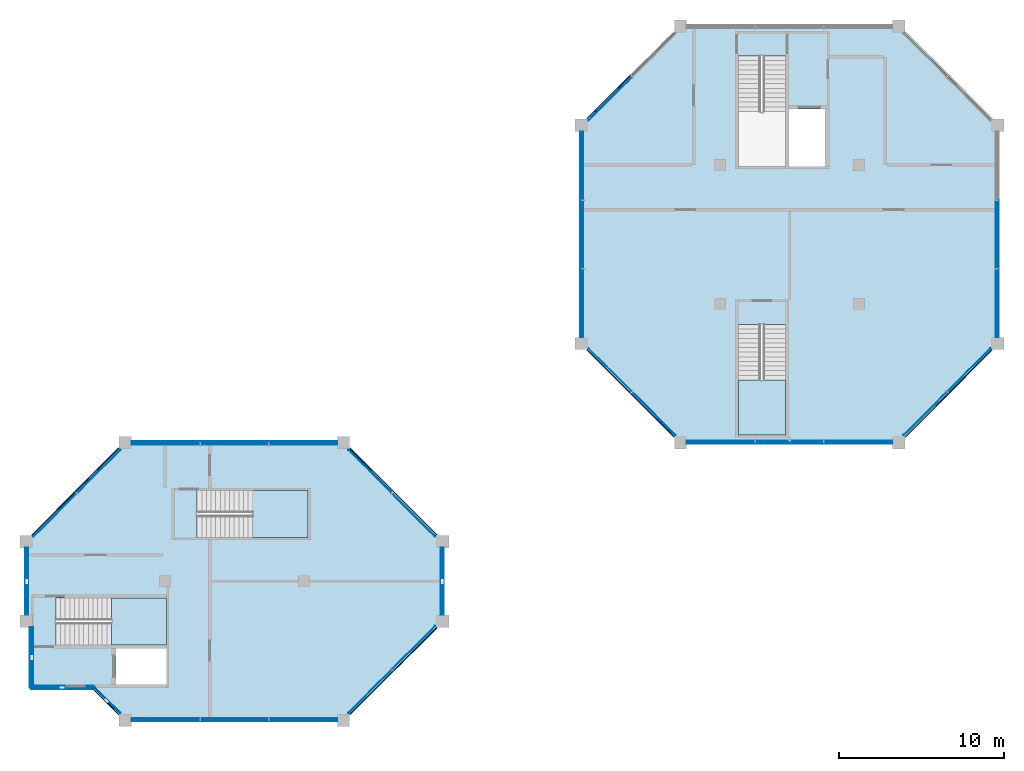
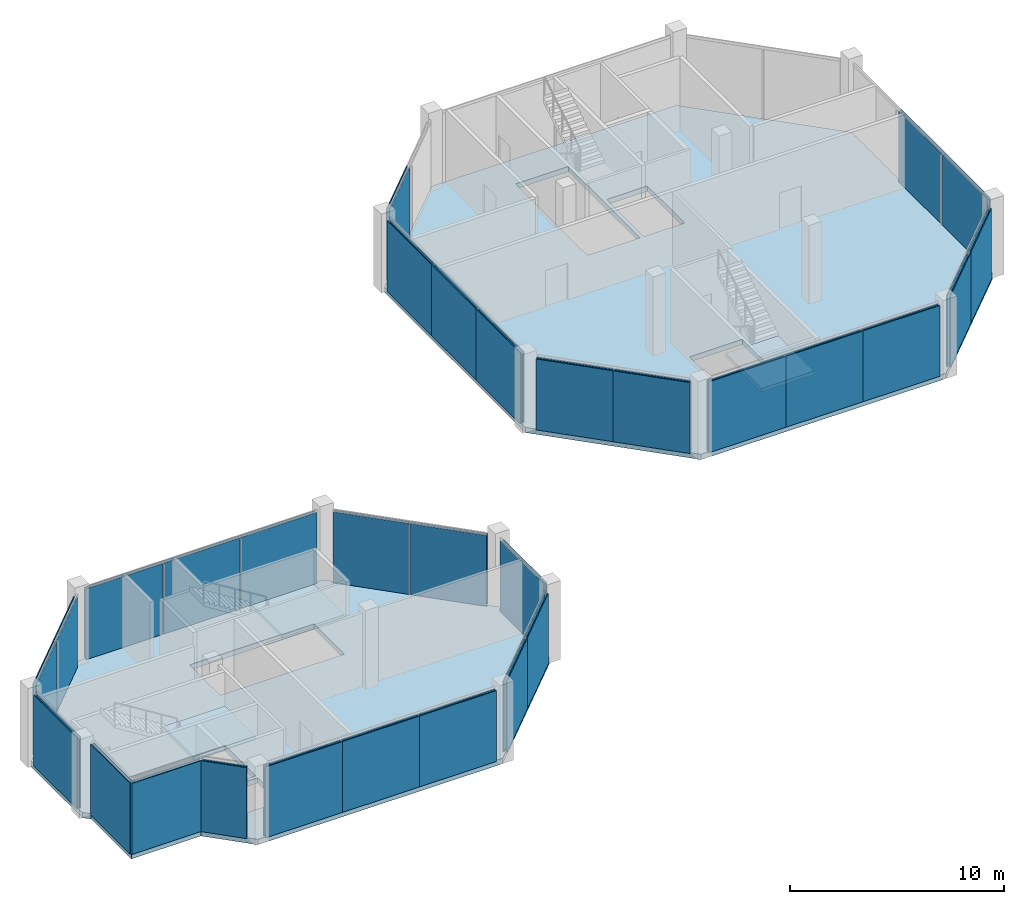
# One storey, part 4 of 9: 60 plates, 5 slabs, 19 elements without a shape of their own.
"""IFC4 building model written with IfcOpenShell, lengths in metres."""

import ifcopenshell
import ifcopenshell.guid

model = None  # the IFC model being written
_history = None  # IfcOwnerHistory: only IFC2X3 demands one
_inside = {}  # id of a spatial element -> (the spatial element, [elements in it])
_under = {}  # id of a project, library or spatial element -> (it, [spatial elements below it])
_declared = {}  # id of a project -> (the project, [libraries it declares])
_typed = {}  # id of a type object -> (the type object, [elements of that type])
_made_of = {}  # id of a material, layer set ... -> (it, [elements and type objects made of it])


def new_model(schema):
    """Start an empty IFC model of exactly this schema.

    Asked for "IFC4X3", IfcOpenShell would pick the latest addendum, in which some entities
    have other attributes; the version numbers below select the first issue.
    IFC2X3 requires an IfcOwnerHistory on every rooted entity: one is made here for all.
    """
    global model, _history
    if schema == "IFC4X3":
        model = ifcopenshell.file(schema_version=(4, 3, 0, 0))
    else:
        model = ifcopenshell.file(schema=schema)
    _inside.clear()
    _under.clear()
    _declared.clear()
    _typed.clear()
    _made_of.clear()
    _history = None
    if model.schema == "IFC2X3":
        org = make("IfcOrganization", Name="unknown")
        user = make(
            "IfcPersonAndOrganization",
            ThePerson=make("IfcPerson", FamilyName="unknown"),
            TheOrganization=org,
        )
        app = make(
            "IfcApplication",
            ApplicationDeveloper=org,
            Version="unknown",
            ApplicationFullName="unknown",
            ApplicationIdentifier="unknown",
        )
        _history = make(
            "IfcOwnerHistory",
            OwningUser=user,
            OwningApplication=app,
            ChangeAction="ADDED",
            CreationDate=0,
        )
    return model


def make(cls, **values):
    """One entity of the class cls with the attributes given. An attribute that is None is left unset."""
    return model.create_entity(
        cls, **{name: value for name, value in values.items() if value is not None}
    )


def rooted(cls, **values):
    """An entity with a GlobalId (a new one), such as an element, a storey or a relation."""
    return make(cls, GlobalId=ifcopenshell.guid.new(), OwnerHistory=_history, **values)


def si_unit(unit_type, name, prefix=None):
    """IfcSIUnit, for example si_unit("LENGTHUNIT", "METRE", prefix="MILLI")."""
    return make("IfcSIUnit", UnitType=unit_type, Prefix=prefix, Name=name)


def assignment(units):
    """IfcUnitAssignment: the units of a project."""
    return None if units is None else make("IfcUnitAssignment", Units=units)


def point(xyz):
    """IfcCartesianPoint."""
    return None if xyz is None else make("IfcCartesianPoint", Coordinates=xyz)


def direction(xyz):
    """IfcDirection."""
    return None if xyz is None else make("IfcDirection", DirectionRatios=xyz)


def frame(location, z_axis=None, x_axis=None):
    """IfcAxis2Placement3D, a coordinate frame: its origin and axes. An axis left out is left unset."""
    return make(
        "IfcAxis2Placement3D",
        Location=point(location),
        Axis=direction(z_axis),
        RefDirection=direction(x_axis),
    )


def frame_2d(location, x_axis=None):
    """IfcAxis2Placement2D, a coordinate frame in the plane: its origin and x axis."""
    return make(
        "IfcAxis2Placement2D", Location=point(location), RefDirection=direction(x_axis)
    )


def origin():
    """The frame at (0, 0, 0) with its axes left unset."""
    return frame((0.0, 0.0, 0.0))


def origin_2d():
    """The frame at (0, 0) in the plane with its x axis left unset."""
    return frame_2d((0.0, 0.0))


def place(relative_to, where):
    """IfcLocalPlacement: puts the frame where relative to a parent placement (None: the world)."""
    return make(
        "IfcLocalPlacement", PlacementRelTo=relative_to, RelativePlacement=where
    )


def context(
    kind, dimensions, precision=None, world=None, true_north=None, identifier=None
):
    """IfcGeometricRepresentationContext, for example the 3D "Model" context."""
    return make(
        "IfcGeometricRepresentationContext",
        ContextIdentifier=identifier,
        ContextType=kind,
        CoordinateSpaceDimension=dimensions,
        Precision=precision,
        WorldCoordinateSystem=world,
        TrueNorth=true_north,
    )


def subcontext(parent, identifier, kind, view, scale=None):
    """IfcGeometricRepresentationSubContext, for example "Body" below "Model"."""
    return make(
        "IfcGeometricRepresentationSubContext",
        ContextIdentifier=identifier,
        ContextType=kind,
        ParentContext=parent,
        TargetScale=scale,
        TargetView=view,
    )


def project(units=None, contexts=None):
    """IfcProject with its units and contexts."""
    return rooted(
        "IfcProject",
        Name="project",
        RepresentationContexts=contexts,
        UnitsInContext=assignment(units),
    )


def spatial(cls, under=None, at=None, **own):
    """A site, building, storey or space (cls), placed at a placement, below another one or the project."""
    s = rooted(cls, ObjectPlacement=at, **own)
    if under is not None:
        _under.setdefault(under.id(), (under, []))[1].append(s)
    return s


def polyline(points):
    """IfcPolyline through the points."""
    return make("IfcPolyline", Points=[point(p) for p in points])


def profile(cls, at=None, kind="AREA", **sizes):
    """A parametric profile (cls). Its sizes go by their IFC names, for example OverallWidth=200.0."""
    return make(cls, ProfileType=kind, Position=at, **sizes)


def rectangle(**sizes):
    """IfcRectangleProfileDef."""
    return profile("IfcRectangleProfileDef", **sizes)


def outline(outer, holes=None, kind="AREA"):
    """IfcArbitraryClosedProfileDef: a profile drawn as a closed curve; with holes, ...WithVoids."""
    if holes is None:
        return make("IfcArbitraryClosedProfileDef", ProfileType=kind, OuterCurve=outer)
    return make(
        "IfcArbitraryProfileDefWithVoids",
        ProfileType=kind,
        OuterCurve=outer,
        InnerCurves=holes,
    )


def extrude(swept, where, along, depth):
    """IfcExtrudedAreaSolid: the profile swept, set in the frame where, extruded along a direction by depth."""
    return make(
        "IfcExtrudedAreaSolid",
        SweptArea=swept,
        Position=where,
        ExtrudedDirection=direction(along),
        Depth=depth,
    )


def shape(context_of_items, identifier, shape_type, items):
    """IfcShapeRepresentation: the items that make up one representation, for example the "Body"."""
    return make(
        "IfcShapeRepresentation",
        ContextOfItems=context_of_items,
        RepresentationIdentifier=identifier,
        RepresentationType=shape_type,
        Items=items,
    )


def material(Name=None, Category=None):
    """IfcMaterial."""
    return make("IfcMaterial", Name=Name, Category=Category)


def layer(
    of_material, thickness, ventilated=None, Name=None, Category=None, Priority=None
):
    """IfcMaterialLayer: one layer of a wall or slab, of a material (None: an air gap)."""
    return make(
        "IfcMaterialLayer",
        Material=of_material,
        LayerThickness=thickness,
        IsVentilated=ventilated,
        Name=Name,
        Category=Category,
        Priority=Priority,
    )


def layer_set(layers, Name=None):
    """IfcMaterialLayerSet."""
    return make("IfcMaterialLayerSet", MaterialLayers=layers, LayerSetName=Name)


def made_of(thing, what):
    """Note that an element or type object is made of a material, layer set ...; save() writes the relation."""
    if what is not None:
        _made_of.setdefault(what.id(), (what, []))[1].append(thing)
    return thing


def type_object(cls, material=None, **own):
    """A type object (cls), such as IfcWallType, which elements share."""
    return made_of(rooted(cls, **own), material)


def element(
    cls,
    number,
    at=None,
    inside=None,
    cuts=None,
    type_object=None,
    material=None,
    context=None,
    identifier="Body",
    shape_type=None,
    held_by="IfcProductDefinitionShape",
    body=None,
    shapes=None,
    **own,
):
    """One element of the class cls, such as IfcWall. Its Tag is "e" and its number.

    at: its placement. inside: the storey or other place that contains it. cuts: it is an
    opening in that element (IfcRelVoidsElement). A single representation is given by context,
    identifier, shape_type and body (its items); several are given by shapes. held_by: the class
    of the entity that holds the representations. save() writes the other relations.
    """
    e = rooted(cls, Tag="e%d" % number, ObjectPlacement=at, **own)
    if body is not None:
        shapes = [shape(context, identifier, shape_type, body)]
    if shapes is not None:
        e.Representation = make(held_by, Representations=shapes)
    if inside is not None:
        _inside.setdefault(inside.id(), (inside, []))[1].append(e)
    if cuts is not None:
        rooted(
            "IfcRelVoidsElement", RelatingBuildingElement=cuts, RelatedOpeningElement=e
        )
    if type_object is not None:
        _typed.setdefault(type_object.id(), (type_object, []))[1].append(e)
    return made_of(e, material)


def aggregate(whole, parts):
    """IfcRelAggregates: a whole, such as a stair, and the parts it consists of."""
    return rooted("IfcRelAggregates", RelatingObject=whole, RelatedObjects=parts)


def save(model, path):
    """Write the relations noted so far, then the file.

    IfcRelAggregates (storeys below a building ...), IfcRelContainedInSpatialStructure (elements
    in a storey), IfcRelDefinesByType, IfcRelAssociatesMaterial and IfcRelDeclares: one each for
    every whole, place, type object, material and project.
    """
    for whole, parts in _under.values():
        aggregate(whole, parts)
    for where, things in _inside.values():
        rooted(
            "IfcRelContainedInSpatialStructure",
            RelatedElements=things,
            RelatingStructure=where,
        )
    for kind, things in _typed.values():
        rooted("IfcRelDefinesByType", RelatedObjects=things, RelatingType=kind)
    for what, things in _made_of.values():
        rooted("IfcRelAssociatesMaterial", RelatedObjects=things, RelatingMaterial=what)
    for by, libraries in _declared.values():
        rooted("IfcRelDeclares", RelatingContext=by, RelatedDefinitions=libraries)
    model.write(path)


model = new_model("IFC4")

# Units and contexts
model_context = context("Model", 3, precision=1e-05, world=origin(), true_north=direction((0.0, 1.0)))
body_context = subcontext(model_context, "Body", "Model", "MODEL_VIEW")
ifc_project = project(units=[si_unit("LENGTHUNIT", "METRE"), si_unit("AREAUNIT", "SQUARE_METRE"), si_unit("VOLUMEUNIT", "CUBIC_METRE"), si_unit("PLANEANGLEUNIT", "RADIAN"), si_unit("MASSUNIT", "GRAM", prefix="KILO")], contexts=[model_context])

# Site, building, storey
site_placement = place(None, origin())
site = spatial("IfcSite", under=ifc_project, at=site_placement, CompositionType="ELEMENT")
building_placement = place(site_placement, origin())
building = spatial("IfcBuilding", under=site, at=building_placement, Name="Kawkab Arch Medical Tower", CompositionType="ELEMENT")
storey_placement = place(building_placement, frame((0.0, 0.0, 341.199951171875)))
storey = spatial("IfcBuildingStorey", under=building, at=storey_placement, Name="L79", CompositionType="ELEMENT", Elevation=341.199951171875)

# Curtain wall, plate
ifc_material_1 = material(Name="Bronze anodised aluminium curtain wall frame", Category="aluminium")
ifc_layer_1 = layer(ifc_material_1, 0.159912109375)
ifc_layer_set_1 = layer_set([ifc_layer_1], Name="Bronze anodised aluminium curtain wall frame")
curtain_wall_type = type_object("IfcCurtainWallType", Name="CW6 helipad lobby and crown glazing", PredefinedType="NOTDEFINED", material=ifc_layer_set_1)
placement_1 = place(storey_placement, origin())
curtain_wall_1 = element("IfcCurtainWall", 1, at=placement_1, inside=storey, type_object=curtain_wall_type, Name="CW6 Helipad lobby and crown glazing R03", PredefinedType="NOTDEFINED")
ifc_material_2 = material(Name="Tinted laminated insulating glass, low iron", Category="glass")
ifc_layer_2 = layer(ifc_material_2, 0.0400390625)
ifc_layer_set_2 = layer_set([ifc_layer_2], Name="Tinted laminated insulating glass, low iron")
plate_type_1 = type_object("IfcPlateType", Name="CW6 glazing unit 40", PredefinedType="CURTAIN_PANEL", material=ifc_layer_set_2)
plate_1_placement = place(storey_placement, frame((35.345703125, -4.3955078125, 0.0), z_axis=(0.0, 0.0, 1.0), x_axis=(-0.707106781187, -0.707106781187, 0.0)))
plate_1 = element("IfcPlate", 2, at=plate_1_placement, type_object=plate_type_1, Name="CW6 glazing unit 1.2", PredefinedType="CURTAIN_PANEL", context=body_context, shape_type="SweptSolid", body=[
    extrude(rectangle(XDim=3.67724609375, YDim=0.0400390625, at=origin_2d()), origin(), (0.0, 0.0, 1.0), 4.0400390625),
])
aggregate(curtain_wall_1, [plate_1])

# Curtain wall, plates
curtain_wall_2 = element("IfcCurtainWall", 3, at=placement_1, inside=storey, type_object=curtain_wall_type, Name="CW6 Helipad lobby and crown glazing R04", PredefinedType="NOTDEFINED")
plate_2_placement = place(storey_placement, frame((33.699951171875, -8.4326171875, 0.0), z_axis=(0.0, 0.0, 1.0), x_axis=(0.0, -1.0, 0.0)))
plate_2 = element("IfcPlate", 4, at=plate_2_placement, type_object=plate_type_1, Name="CW6 glazing unit 1.1", PredefinedType="CURTAIN_PANEL", context=body_context, shape_type="SweptSolid", body=[
    extrude(rectangle(XDim=4.114990234375, YDim=0.0400390625, at=origin_2d()), origin(), (0.0, 0.0, 1.0), 4.0400390625),
])
plate_3_placement = place(storey_placement, frame((33.699951171875, -12.60009765625, 0.0), z_axis=(0.0, 0.0, 1.0), x_axis=(0.0, -1.0, 0.0)))
plate_3 = element("IfcPlate", 5, at=plate_3_placement, type_object=plate_type_1, Name="CW6 glazing unit 1.2", PredefinedType="CURTAIN_PANEL", context=body_context, shape_type="SweptSolid", body=[
    extrude(rectangle(XDim=4.080078125, YDim=0.0400390625, at=origin_2d()), origin(), (0.0, 0.0, 1.0), 4.0400390625),
])
plate_4_placement = place(storey_placement, frame((33.699951171875, -16.767578125, 0.0), z_axis=(0.0, 0.0, 1.0), x_axis=(0.0, -1.0, 0.0)))
plate_4 = element("IfcPlate", 6, at=plate_4_placement, type_object=plate_type_1, Name="CW6 glazing unit 1.3", PredefinedType="CURTAIN_PANEL", context=body_context, shape_type="SweptSolid", body=[
    extrude(rectangle(XDim=4.114990234375, YDim=0.0400390625, at=origin_2d()), origin(), (0.0, 0.0, 1.0), 4.0400390625),
])
aggregate(curtain_wall_2, [plate_2, plate_3, plate_4])

curtain_wall_3 = element("IfcCurtainWall", 7, at=placement_1, inside=storey, type_object=curtain_wall_type, Name="CW6 Helipad lobby and crown glazing R05", PredefinedType="NOTDEFINED")
plate_5_placement = place(storey_placement, frame((35.345703125, -20.804443359375, 0.0), z_axis=(0.0, 0.0, 1.0), x_axis=(0.707106781187, -0.707106781187, 0.0)))
plate_5 = element("IfcPlate", 8, at=plate_5_placement, type_object=plate_type_1, Name="CW6 glazing unit 1.1", PredefinedType="CURTAIN_PANEL", context=body_context, shape_type="SweptSolid", body=[
    extrude(rectangle(XDim=3.67724609375, YDim=0.0400390625, at=origin_2d()), origin(), (0.0, 0.0, 1.0), 4.0400390625),
])
plate_6_placement = place(storey_placement, frame((37.99560546875, -23.4541015625, 0.0), z_axis=(0.0, 0.0, 1.0), x_axis=(0.707106781187, -0.707106781187, 0.0)))
plate_6 = element("IfcPlate", 9, at=plate_6_placement, type_object=plate_type_1, Name="CW6 glazing unit 1.2", PredefinedType="CURTAIN_PANEL", context=body_context, shape_type="SweptSolid", body=[
    extrude(rectangle(XDim=3.67724609375, YDim=0.0400390625, at=origin_2d()), origin(), (0.0, 0.0, 1.0), 4.0400390625),
])
aggregate(curtain_wall_3, [plate_5, plate_6])

curtain_wall_4 = element("IfcCurtainWall", 10, at=placement_1, inside=storey, type_object=curtain_wall_type, Name="CW6 Helipad lobby and crown glazing R06", PredefinedType="NOTDEFINED")
plate_7_placement = place(storey_placement, frame((42.032470703125, -25.10009765625, 0.0), z_axis=(0.0, 0.0, 1.0), x_axis=(1.0, 0.0, 0.0)))
plate_7 = element("IfcPlate", 11, at=plate_7_placement, type_object=plate_type_1, Name="CW6 glazing unit 1.1", PredefinedType="CURTAIN_PANEL", context=body_context, shape_type="SweptSolid", body=[
    extrude(rectangle(XDim=4.114990234375, YDim=0.0400390625, at=origin_2d()), origin(), (0.0, 0.0, 1.0), 4.0400390625),
])
plate_8_placement = place(storey_placement, frame((46.199951171875, -25.10009765625, 0.0), z_axis=(0.0, 0.0, 1.0), x_axis=(1.0, 0.0, 0.0)))
plate_8 = element("IfcPlate", 12, at=plate_8_placement, type_object=plate_type_1, Name="CW6 glazing unit 1.2", PredefinedType="CURTAIN_PANEL", context=body_context, shape_type="SweptSolid", body=[
    extrude(rectangle(XDim=4.080078125, YDim=0.0400390625, at=origin_2d()), origin(), (0.0, 0.0, 1.0), 4.0400390625),
])
plate_9_placement = place(storey_placement, frame((50.367431640625, -25.10009765625, 0.0), z_axis=(0.0, 0.0, 1.0), x_axis=(1.0, 0.0, 0.0)))
plate_9 = element("IfcPlate", 13, at=plate_9_placement, type_object=plate_type_1, Name="CW6 glazing unit 1.3", PredefinedType="CURTAIN_PANEL", context=body_context, shape_type="SweptSolid", body=[
    extrude(rectangle(XDim=4.114990234375, YDim=0.0400390625, at=origin_2d()), origin(), (0.0, 0.0, 1.0), 4.0400390625),
])
aggregate(curtain_wall_4, [plate_7, plate_8, plate_9])

curtain_wall_5 = element("IfcCurtainWall", 14, at=placement_1, inside=storey, type_object=curtain_wall_type, Name="CW6 Helipad lobby and crown glazing R07", PredefinedType="NOTDEFINED")
plate_10_placement = place(storey_placement, frame((54.404296875, -23.4541015625, 0.0), z_axis=(0.0, 0.0, 1.0), x_axis=(0.707106781187, 0.707106781187, 0.0)))
plate_10 = element("IfcPlate", 15, at=plate_10_placement, type_object=plate_type_1, Name="CW6 glazing unit 1.1", PredefinedType="CURTAIN_PANEL", context=body_context, shape_type="SweptSolid", body=[
    extrude(rectangle(XDim=3.67724609375, YDim=0.0400390625, at=origin_2d()), origin(), (0.0, 0.0, 1.0), 4.0400390625),
])
plate_11_placement = place(storey_placement, frame((57.05419921875, -20.804443359375, 0.0), z_axis=(0.0, 0.0, 1.0), x_axis=(0.707106781187, 0.707106781187, 0.0)))
plate_11 = element("IfcPlate", 16, at=plate_11_placement, type_object=plate_type_1, Name="CW6 glazing unit 1.2", PredefinedType="CURTAIN_PANEL", context=body_context, shape_type="SweptSolid", body=[
    extrude(rectangle(XDim=3.67724609375, YDim=0.0400390625, at=origin_2d()), origin(), (0.0, 0.0, 1.0), 4.0400390625),
])
aggregate(curtain_wall_5, [plate_10, plate_11])

curtain_wall_6 = element("IfcCurtainWall", 17, at=placement_1, inside=storey, type_object=curtain_wall_type, Name="CW6 Helipad lobby and crown glazing R08", PredefinedType="NOTDEFINED")
plate_12_placement = place(storey_placement, frame((58.699951171875, -16.767578125, 0.0), z_axis=(0.0, 0.0, 1.0), x_axis=(0.0, 1.0, 0.0)))
plate_12 = element("IfcPlate", 18, at=plate_12_placement, type_object=plate_type_1, Name="CW6 glazing unit 1.1", PredefinedType="CURTAIN_PANEL", context=body_context, shape_type="SweptSolid", body=[
    extrude(rectangle(XDim=4.114990234375, YDim=0.0400390625, at=origin_2d()), origin(), (0.0, 0.0, 1.0), 4.0400390625),
])
plate_13_placement = place(storey_placement, frame((58.699951171875, -12.60009765625, 0.0), z_axis=(0.0, 0.0, 1.0), x_axis=(0.0, 1.0, 0.0)))
plate_13 = element("IfcPlate", 19, at=plate_13_placement, type_object=plate_type_1, Name="CW6 glazing unit 1.2", PredefinedType="CURTAIN_PANEL", context=body_context, shape_type="SweptSolid", body=[
    extrude(rectangle(XDim=4.080078125, YDim=0.0400390625, at=origin_2d()), origin(), (0.0, 0.0, 1.0), 4.0400390625),
])
aggregate(curtain_wall_6, [plate_12, plate_13])

curtain_wall_7 = element("IfcCurtainWall", 20, at=placement_1, inside=storey, type_object=curtain_wall_type, Name="CW6 Helipad lobby and crown glazing R09", PredefinedType="NOTDEFINED")
plate_14_placement = place(storey_placement, frame((23.4541015625, -29.595703125, 0.0), z_axis=(0.0, 0.0, 1.0), x_axis=(-0.707106781187, 0.707106781187, 0.0)))
plate_14 = element("IfcPlate", 21, at=plate_14_placement, type_object=plate_type_1, Name="CW6 glazing unit 1.1", PredefinedType="CURTAIN_PANEL", context=body_context, shape_type="SweptSolid", body=[
    extrude(rectangle(XDim=3.67724609375, YDim=0.0400390625, at=origin_2d()), origin(), (0.0, 0.0, 1.0), 4.0400390625),
])
plate_15_placement = place(storey_placement, frame((20.804443359375, -26.94580078125, 0.0), z_axis=(0.0, 0.0, 1.0), x_axis=(-0.707106781187, 0.707106781187, 0.0)))
plate_15 = element("IfcPlate", 22, at=plate_15_placement, type_object=plate_type_1, Name="CW6 glazing unit 1.2", PredefinedType="CURTAIN_PANEL", context=body_context, shape_type="SweptSolid", body=[
    extrude(rectangle(XDim=3.67724609375, YDim=0.0400390625, at=origin_2d()), origin(), (0.0, 0.0, 1.0), 4.0400390625),
])
aggregate(curtain_wall_7, [plate_14, plate_15])

curtain_wall_8 = element("IfcCurtainWall", 23, at=placement_1, inside=storey, type_object=curtain_wall_type, Name="CW6 Helipad lobby and crown glazing R10", PredefinedType="NOTDEFINED")
plate_16_placement = place(storey_placement, frame((16.767578125, -25.300048828125, 0.0), z_axis=(0.0, 0.0, 1.0), x_axis=(-1.0, 0.0, 0.0)))
plate_16 = element("IfcPlate", 24, at=plate_16_placement, type_object=plate_type_1, Name="CW6 glazing unit 1.1", PredefinedType="CURTAIN_PANEL", context=body_context, shape_type="SweptSolid", body=[
    extrude(rectangle(XDim=4.114990234375, YDim=0.0400390625, at=origin_2d()), origin(), (0.0, 0.0, 1.0), 4.0400390625),
])
plate_17_placement = place(storey_placement, frame((12.60009765625, -25.300048828125, 0.0), z_axis=(0.0, 0.0, 1.0), x_axis=(-1.0, 0.0, 0.0)))
plate_17 = element("IfcPlate", 25, at=plate_17_placement, type_object=plate_type_1, Name="CW6 glazing unit 1.2", PredefinedType="CURTAIN_PANEL", context=body_context, shape_type="SweptSolid", body=[
    extrude(rectangle(XDim=4.080078125, YDim=0.0400390625, at=origin_2d()), origin(), (0.0, 0.0, 1.0), 4.0400390625),
])
plate_18_placement = place(storey_placement, frame((8.4326171875, -25.300048828125, 0.0), z_axis=(0.0, 0.0, 1.0), x_axis=(-1.0, 0.0, 0.0)))
plate_18 = element("IfcPlate", 26, at=plate_18_placement, type_object=plate_type_1, Name="CW6 glazing unit 1.3", PredefinedType="CURTAIN_PANEL", context=body_context, shape_type="SweptSolid", body=[
    extrude(rectangle(XDim=4.114990234375, YDim=0.0400390625, at=origin_2d()), origin(), (0.0, 0.0, 1.0), 4.0400390625),
])
aggregate(curtain_wall_8, [plate_16, plate_17, plate_18])

curtain_wall_9 = element("IfcCurtainWall", 27, at=placement_1, inside=storey, type_object=curtain_wall_type, Name="CW6 Helipad lobby and crown glazing R11", PredefinedType="NOTDEFINED")
plate_19_placement = place(storey_placement, frame((4.3955078125, -26.94580078125, 0.0), z_axis=(0.0, 0.0, 1.0), x_axis=(-0.707106781187, -0.707106781187, 0.0)))
plate_19 = element("IfcPlate", 28, at=plate_19_placement, type_object=plate_type_1, Name="CW6 glazing unit 1.1", PredefinedType="CURTAIN_PANEL", context=body_context, shape_type="SweptSolid", body=[
    extrude(rectangle(XDim=3.67724609375, YDim=0.0400390625, at=origin_2d()), origin(), (0.0, 0.0, 1.0), 4.0400390625),
])
plate_20_placement = place(storey_placement, frame((1.745849609375, -29.595703125, 0.0), z_axis=(0.0, 0.0, 1.0), x_axis=(-0.707106781187, -0.707106781187, 0.0)))
plate_20 = element("IfcPlate", 29, at=plate_20_placement, type_object=plate_type_1, Name="CW6 glazing unit 1.2", PredefinedType="CURTAIN_PANEL", context=body_context, shape_type="SweptSolid", body=[
    extrude(rectangle(XDim=3.67724609375, YDim=0.0400390625, at=origin_2d()), origin(), (0.0, 0.0, 1.0), 4.0400390625),
])
aggregate(curtain_wall_9, [plate_19, plate_20])

# Curtain wall, plate
curtain_wall_10 = element("IfcCurtainWall", 30, at=placement_1, inside=storey, type_object=curtain_wall_type, Name="CW6 Helipad lobby and crown glazing R12", PredefinedType="NOTDEFINED")
plate_21_placement = place(storey_placement, frame((0.10009765625, -33.60009765625, 0.0), z_axis=(0.0, 0.0, 1.0), x_axis=(0.0, -1.0, 0.0)))
plate_21 = element("IfcPlate", 31, at=plate_21_placement, type_object=plate_type_1, Name="CW6 glazing unit 1.1", PredefinedType="CURTAIN_PANEL", context=body_context, shape_type="SweptSolid", body=[
    extrude(rectangle(XDim=4.050048828125, YDim=0.0400390625, at=origin_2d()), origin(), (0.0, 0.0, 1.0), 4.0400390625),
])
aggregate(curtain_wall_10, [plate_21])

curtain_wall_11 = element("IfcCurtainWall", 32, at=placement_1, inside=storey, type_object=curtain_wall_type, Name="CW6 Helipad lobby and crown glazing R14", PredefinedType="NOTDEFINED")
plate_22_placement = place(storey_placement, frame((0.39990234375, -38.21240234375, 0.0), z_axis=(0.0, 0.0, 1.0), x_axis=(0.0, -1.0, 0.0)))
plate_22 = element("IfcPlate", 33, at=plate_22_placement, type_object=plate_type_1, Name="CW6 glazing unit 1.1", PredefinedType="CURTAIN_PANEL", context=body_context, shape_type="SweptSolid", body=[
    extrude(rectangle(XDim=3.675048828125, YDim=0.0400390625, at=origin_2d()), origin(), (0.0, 0.0, 1.0), 4.0400390625),
])
aggregate(curtain_wall_11, [plate_22])

curtain_wall_12 = element("IfcCurtainWall", 34, at=placement_1, inside=storey, type_object=curtain_wall_type, Name="CW6 Helipad lobby and crown glazing R15", PredefinedType="NOTDEFINED")
plate_23_placement = place(storey_placement, frame((2.175048828125, -39.949951171875, 0.0), z_axis=(0.0, 0.0, 1.0), x_axis=(1.0, 0.0, 0.0)))
plate_23 = element("IfcPlate", 35, at=plate_23_placement, type_object=plate_type_1, Name="CW6 glazing unit 1.1", PredefinedType="CURTAIN_PANEL", context=body_context, shape_type="SweptSolid", body=[
    extrude(rectangle(XDim=3.75, YDim=0.0400390625, at=origin_2d()), origin(), (0.0, 0.0, 1.0), 4.0400390625),
])
aggregate(curtain_wall_12, [plate_23])

curtain_wall_13 = element("IfcCurtainWall", 36, at=placement_1, inside=storey, type_object=curtain_wall_type, Name="CW6 Helipad lobby and crown glazing R16", PredefinedType="NOTDEFINED")
plate_24_placement = place(storey_placement, frame((4.908203125, -40.766845703125, 0.0), z_axis=(0.0, 0.0, 1.0), x_axis=(0.707106781187, -0.707106781187, 0.0)))
plate_24 = element("IfcPlate", 37, at=plate_24_placement, type_object=plate_type_1, Name="CW6 glazing unit 1.1", PredefinedType="CURTAIN_PANEL", context=body_context, shape_type="SweptSolid", body=[
    extrude(rectangle(XDim=2.227294921875, YDim=0.0400390625, at=origin_2d()), origin(), (0.0, 0.0, 1.0), 4.0400390625),
])
aggregate(curtain_wall_13, [plate_24])

# Curtain wall, plates
curtain_wall_14 = element("IfcCurtainWall", 38, at=placement_1, inside=storey, type_object=curtain_wall_type, Name="CW6 Helipad lobby and crown glazing R17", PredefinedType="NOTDEFINED")
plate_25_placement = place(storey_placement, frame((8.4326171875, -41.89990234375, 0.0), z_axis=(0.0, 0.0, 1.0), x_axis=(1.0, 0.0, 0.0)))
plate_25 = element("IfcPlate", 39, at=plate_25_placement, type_object=plate_type_1, Name="CW6 glazing unit 1.1", PredefinedType="CURTAIN_PANEL", context=body_context, shape_type="SweptSolid", body=[
    extrude(rectangle(XDim=4.114990234375, YDim=0.0400390625, at=origin_2d()), origin(), (0.0, 0.0, 1.0), 4.0400390625),
])
plate_26_placement = place(storey_placement, frame((12.60009765625, -41.89990234375, 0.0), z_axis=(0.0, 0.0, 1.0), x_axis=(1.0, 0.0, 0.0)))
plate_26 = element("IfcPlate", 40, at=plate_26_placement, type_object=plate_type_1, Name="CW6 glazing unit 1.2", PredefinedType="CURTAIN_PANEL", context=body_context, shape_type="SweptSolid", body=[
    extrude(rectangle(XDim=4.080078125, YDim=0.0400390625, at=origin_2d()), origin(), (0.0, 0.0, 1.0), 4.0400390625),
])
plate_27_placement = place(storey_placement, frame((16.767578125, -41.89990234375, 0.0), z_axis=(0.0, 0.0, 1.0), x_axis=(1.0, 0.0, 0.0)))
plate_27 = element("IfcPlate", 41, at=plate_27_placement, type_object=plate_type_1, Name="CW6 glazing unit 1.3", PredefinedType="CURTAIN_PANEL", context=body_context, shape_type="SweptSolid", body=[
    extrude(rectangle(XDim=4.114990234375, YDim=0.0400390625, at=origin_2d()), origin(), (0.0, 0.0, 1.0), 4.0400390625),
])
aggregate(curtain_wall_14, [plate_25, plate_26, plate_27])

curtain_wall_15 = element("IfcCurtainWall", 42, at=placement_1, inside=storey, type_object=curtain_wall_type, Name="CW6 Helipad lobby and crown glazing R18", PredefinedType="NOTDEFINED")
plate_28_placement = place(storey_placement, frame((20.804443359375, -40.254150390625, 0.0), z_axis=(0.0, 0.0, 1.0), x_axis=(0.707106781187, 0.707106781187, 0.0)))
plate_28 = element("IfcPlate", 43, at=plate_28_placement, type_object=plate_type_1, Name="CW6 glazing unit 1.1", PredefinedType="CURTAIN_PANEL", context=body_context, shape_type="SweptSolid", body=[
    extrude(rectangle(XDim=3.67724609375, YDim=0.0400390625, at=origin_2d()), origin(), (0.0, 0.0, 1.0), 4.0400390625),
])
plate_29_placement = place(storey_placement, frame((23.4541015625, -37.6044921875, 0.0), z_axis=(0.0, 0.0, 1.0), x_axis=(0.707106781187, 0.707106781187, 0.0)))
plate_29 = element("IfcPlate", 44, at=plate_29_placement, type_object=plate_type_1, Name="CW6 glazing unit 1.2", PredefinedType="CURTAIN_PANEL", context=body_context, shape_type="SweptSolid", body=[
    extrude(rectangle(XDim=3.67724609375, YDim=0.0400390625, at=origin_2d()), origin(), (0.0, 0.0, 1.0), 4.0400390625),
])
aggregate(curtain_wall_15, [plate_28, plate_29])

# Curtain wall, plate
curtain_wall_16 = element("IfcCurtainWall", 45, at=placement_1, inside=storey, type_object=curtain_wall_type, Name="CW6 Helipad lobby and crown glazing R19", PredefinedType="NOTDEFINED")
plate_30_placement = place(storey_placement, frame((25.10009765625, -33.60009765625, 0.0), z_axis=(0.0, 0.0, 1.0), x_axis=(0.0, 1.0, 0.0)))
plate_30 = element("IfcPlate", 46, at=plate_30_placement, type_object=plate_type_1, Name="CW6 glazing unit 1.1", PredefinedType="CURTAIN_PANEL", context=body_context, shape_type="SweptSolid", body=[
    extrude(rectangle(XDim=4.050048828125, YDim=0.0400390625, at=origin_2d()), origin(), (0.0, 0.0, 1.0), 4.0400390625),
])
aggregate(curtain_wall_16, [plate_30])

# Plates
ifc_material_3 = material(Name="Bronze anodised aluminium perforated screen", Category="aluminium")
ifc_layer_3 = layer(ifc_material_3, 0.050048828125)
ifc_layer_set_3 = layer_set([ifc_layer_3], Name="Bronze anodised aluminium perforated screen")
plate_type_2 = type_object("IfcPlateType", Name="Crown perforated star screen 50", PredefinedType="USERDEFINED", material=ifc_layer_set_3)
plate_31_placement = place(storey_placement, frame((35.255615234375, -4.28076171875, 0.0), z_axis=(0.0, 0.0, 1.0), x_axis=(-0.707106781187, -0.707106781187, 0.0)))
element("IfcPlate", 47, at=plate_31_placement, inside=storey, type_object=plate_type_2, Name="Crown screen L79 R03.1.2", ObjectType="SCREEN", PredefinedType="USERDEFINED", context=body_context, shape_type="SweptSolid", body=[
    extrude(rectangle(XDim=3.71240234375, YDim=0.050048828125, at=origin_2d()), origin(), (0.0, 0.0, 1.0), 4.0400390625),
])
for number, where, z_axis, x_axis, name in (
    (48, (33.554931640625, -8.449951171875, 0.0), (0.0, 0.0, 1.0), (0.0, -1.0, 0.0), "Crown screen L79 R04.1.1"),
    (49, (33.554931640625, -12.60009765625, 0.0), (0.0, 0.0, 1.0), (0.0, -1.0, 0.0), "Crown screen L79 R04.1.2"),
    (50, (33.554931640625, -16.75, 0.0), (0.0, 0.0, 1.0), (0.0, -1.0, 0.0), "Crown screen L79 R04.1.3"),
):
    element("IfcPlate", number, at=place(storey_placement, frame(where, z_axis=z_axis, x_axis=x_axis)), inside=storey, type_object=plate_type_2, Name=name, ObjectType="SCREEN", PredefinedType="USERDEFINED", context=body_context, shape_type="SweptSolid", body=[
        extrude(rectangle(XDim=4.14990234375, YDim=0.050048828125, at=origin_2d()), origin(), (0.0, 0.0, 1.0), 4.0400390625),
    ])
for number, where, z_axis, x_axis, name in (
    (51, (35.255615234375, -20.919189453125, 0.0), (0.0, 0.0, 1.0), (0.707106781187, -0.707106781187, 0.0), "Crown screen L79 R05.1.1"),
    (52, (37.880615234375, -23.54443359375, 0.0), (0.0, 0.0, 1.0), (0.707106781187, -0.707106781187, 0.0), "Crown screen L79 R05.1.2"),
):
    element("IfcPlate", number, at=place(storey_placement, frame(where, z_axis=z_axis, x_axis=x_axis)), inside=storey, type_object=plate_type_2, Name=name, ObjectType="SCREEN", PredefinedType="USERDEFINED", context=body_context, shape_type="SweptSolid", body=[
        extrude(rectangle(XDim=3.71240234375, YDim=0.050048828125, at=origin_2d()), origin(), (0.0, 0.0, 1.0), 4.0400390625),
    ])
for number, where, z_axis, x_axis, name in (
    (53, (42.050048828125, -25.2451171875, 0.0), (0.0, 0.0, 1.0), (1.0, 0.0, 0.0), "Crown screen L79 R06.1.1"),
    (54, (46.199951171875, -25.2451171875, 0.0), (0.0, 0.0, 1.0), (1.0, 0.0, 0.0), "Crown screen L79 R06.1.2"),
    (55, (50.35009765625, -25.2451171875, 0.0), (0.0, 0.0, 1.0), (1.0, 0.0, 0.0), "Crown screen L79 R06.1.3"),
):
    element("IfcPlate", number, at=place(storey_placement, frame(where, z_axis=z_axis, x_axis=x_axis)), inside=storey, type_object=plate_type_2, Name=name, ObjectType="SCREEN", PredefinedType="USERDEFINED", context=body_context, shape_type="SweptSolid", body=[
        extrude(rectangle(XDim=4.14990234375, YDim=0.050048828125, at=origin_2d()), origin(), (0.0, 0.0, 1.0), 4.0400390625),
    ])
for number, where, z_axis, x_axis, name in (
    (56, (54.519287109375, -23.544189453125, 0.0), (0.0, 0.0, 1.0), (0.707106781187, 0.707106781187, 0.0), "Crown screen L79 R07.1.1"),
    (57, (57.144287109375, -20.919189453125, 0.0), (0.0, 0.0, 1.0), (0.707106781187, 0.707106781187, 0.0), "Crown screen L79 R07.1.2"),
):
    element("IfcPlate", number, at=place(storey_placement, frame(where, z_axis=z_axis, x_axis=x_axis)), inside=storey, type_object=plate_type_2, Name=name, ObjectType="SCREEN", PredefinedType="USERDEFINED", context=body_context, shape_type="SweptSolid", body=[
        extrude(rectangle(XDim=3.71240234375, YDim=0.050048828125, at=origin_2d()), origin(), (0.0, 0.0, 1.0), 4.0400390625),
    ])
for number, where, z_axis, x_axis, name in (
    (58, (58.844970703125, -16.75, 0.0), (0.0, 0.0, 1.0), (0.0, 1.0, 0.0), "Crown screen L79 R08.1.1"),
    (59, (58.844970703125, -12.60009765625, 0.0), (0.0, 0.0, 1.0), (0.0, 1.0, 0.0), "Crown screen L79 R08.1.2"),
):
    element("IfcPlate", number, at=place(storey_placement, frame(where, z_axis=z_axis, x_axis=x_axis)), inside=storey, type_object=plate_type_2, Name=name, ObjectType="SCREEN", PredefinedType="USERDEFINED", context=body_context, shape_type="SweptSolid", body=[
        extrude(rectangle(XDim=4.14990234375, YDim=0.050048828125, at=origin_2d()), origin(), (0.0, 0.0, 1.0), 4.0400390625),
    ])
for number, where, z_axis, x_axis, name in (
    (60, (23.544189453125, -29.480712890625, 0.0), (0.0, 0.0, 1.0), (-0.707106781187, 0.707106781187, 0.0), "Crown screen L79 R09.1.1"),
    (61, (20.919189453125, -26.855712890625, 0.0), (0.0, 0.0, 1.0), (-0.707106781187, 0.707106781187, 0.0), "Crown screen L79 R09.1.2"),
):
    element("IfcPlate", number, at=place(storey_placement, frame(where, z_axis=z_axis, x_axis=x_axis)), inside=storey, type_object=plate_type_2, Name=name, ObjectType="SCREEN", PredefinedType="USERDEFINED", context=body_context, shape_type="SweptSolid", body=[
        extrude(rectangle(XDim=3.71240234375, YDim=0.050048828125, at=origin_2d()), origin(), (0.0, 0.0, 1.0), 4.0400390625),
    ])
for number, where, z_axis, x_axis, name in (
    (62, (16.75, -25.155029296875, 0.0), (0.0, 0.0, 1.0), (-1.0, 0.0, 0.0), "Crown screen L79 R10.1.1"),
    (63, (12.60009765625, -25.155029296875, 0.0), (0.0, 0.0, 1.0), (-1.0, 0.0, 0.0), "Crown screen L79 R10.1.2"),
    (64, (8.449951171875, -25.155029296875, 0.0), (0.0, 0.0, 1.0), (-1.0, 0.0, 0.0), "Crown screen L79 R10.1.3"),
):
    element("IfcPlate", number, at=place(storey_placement, frame(where, z_axis=z_axis, x_axis=x_axis)), inside=storey, type_object=plate_type_2, Name=name, ObjectType="SCREEN", PredefinedType="USERDEFINED", context=body_context, shape_type="SweptSolid", body=[
        extrude(rectangle(XDim=4.14990234375, YDim=0.050048828125, at=origin_2d()), origin(), (0.0, 0.0, 1.0), 4.0400390625),
    ])
for number, where, z_axis, x_axis, name in (
    (65, (4.28076171875, -26.855712890625, 0.0), (0.0, 0.0, 1.0), (-0.707106781187, -0.707106781187, 0.0), "Crown screen L79 R11.1.1"),
    (66, (1.655517578125, -29.480712890625, 0.0), (0.0, 0.0, 1.0), (-0.707106781187, -0.707106781187, 0.0), "Crown screen L79 R11.1.2"),
):
    element("IfcPlate", number, at=place(storey_placement, frame(where, z_axis=z_axis, x_axis=x_axis)), inside=storey, type_object=plate_type_2, Name=name, ObjectType="SCREEN", PredefinedType="USERDEFINED", context=body_context, shape_type="SweptSolid", body=[
        extrude(rectangle(XDim=3.71240234375, YDim=0.050048828125, at=origin_2d()), origin(), (0.0, 0.0, 1.0), 4.0400390625),
    ])
plate_32_placement = place(storey_placement, frame((-0.044921875, -33.60009765625, 0.0), z_axis=(0.0, 0.0, 1.0), x_axis=(0.0, -1.0, 0.0)))
element("IfcPlate", 67, at=plate_32_placement, inside=storey, type_object=plate_type_2, Name="Crown screen L79 R12.1.1", ObjectType="SCREEN", PredefinedType="USERDEFINED", context=body_context, shape_type="SweptSolid", body=[
    extrude(rectangle(XDim=4.050048828125, YDim=0.050048828125, at=origin_2d()), origin(), (0.0, 0.0, 1.0), 4.0400390625),
])
plate_33_placement = place(storey_placement, frame((0.2548828125, -38.21240234375, 0.0), z_axis=(0.0, 0.0, 1.0), x_axis=(0.0, -1.0, 0.0)))
element("IfcPlate", 68, at=plate_33_placement, inside=storey, type_object=plate_type_2, Name="Crown screen L79 R14.1.1", ObjectType="SCREEN", PredefinedType="USERDEFINED", context=body_context, shape_type="SweptSolid", body=[
    extrude(rectangle(XDim=3.675048828125, YDim=0.050048828125, at=origin_2d()), origin(), (0.0, 0.0, 1.0), 4.0400390625),
])
plate_34_placement = place(storey_placement, frame((2.175048828125, -40.094970703125, 0.0), z_axis=(0.0, 0.0, 1.0), x_axis=(1.0, 0.0, 0.0)))
element("IfcPlate", 69, at=plate_34_placement, inside=storey, type_object=plate_type_2, Name="Crown screen L79 R15.1.1", ObjectType="SCREEN", PredefinedType="USERDEFINED", context=body_context, shape_type="SweptSolid", body=[
    extrude(rectangle(XDim=3.75, YDim=0.050048828125, at=origin_2d()), origin(), (0.0, 0.0, 1.0), 4.0400390625),
])
plate_35_placement = place(storey_placement, frame((4.8056640625, -40.869384765625, 0.0), z_axis=(0.0, 0.0, 1.0), x_axis=(0.707106781187, -0.707106781187, 0.0)))
element("IfcPlate", 70, at=plate_35_placement, inside=storey, type_object=plate_type_2, Name="Crown screen L79 R16.1.1", ObjectType="SCREEN", PredefinedType="USERDEFINED", context=body_context, shape_type="SweptSolid", body=[
    extrude(rectangle(XDim=2.227294921875, YDim=0.050048828125, at=origin_2d()), origin(), (0.0, 0.0, 1.0), 4.0400390625),
])
for number, where, z_axis, x_axis, name in (
    (71, (8.449951171875, -42.044921875, 0.0), (0.0, 0.0, 1.0), (1.0, 0.0, 0.0), "Crown screen L79 R17.1.1"),
    (72, (12.60009765625, -42.044921875, 0.0), (0.0, 0.0, 1.0), (1.0, 0.0, 0.0), "Crown screen L79 R17.1.2"),
    (73, (16.75, -42.044921875, 0.0), (0.0, 0.0, 1.0), (1.0, 0.0, 0.0), "Crown screen L79 R17.1.3"),
):
    element("IfcPlate", number, at=place(storey_placement, frame(where, z_axis=z_axis, x_axis=x_axis)), inside=storey, type_object=plate_type_2, Name=name, ObjectType="SCREEN", PredefinedType="USERDEFINED", context=body_context, shape_type="SweptSolid", body=[
        extrude(rectangle(XDim=4.14990234375, YDim=0.050048828125, at=origin_2d()), origin(), (0.0, 0.0, 1.0), 4.0400390625),
    ])
for number, where, z_axis, x_axis, name in (
    (74, (20.919189453125, -40.34423828125, 0.0), (0.0, 0.0, 1.0), (0.707106781187, 0.707106781187, 0.0), "Crown screen L79 R18.1.1"),
    (75, (23.54443359375, -37.71923828125, 0.0), (0.0, 0.0, 1.0), (0.707106781187, 0.707106781187, 0.0), "Crown screen L79 R18.1.2"),
):
    element("IfcPlate", number, at=place(storey_placement, frame(where, z_axis=z_axis, x_axis=x_axis)), inside=storey, type_object=plate_type_2, Name=name, ObjectType="SCREEN", PredefinedType="USERDEFINED", context=body_context, shape_type="SweptSolid", body=[
        extrude(rectangle(XDim=3.71240234375, YDim=0.050048828125, at=origin_2d()), origin(), (0.0, 0.0, 1.0), 4.0400390625),
    ])
plate_36_placement = place(storey_placement, frame((25.2451171875, -33.60009765625, 0.0), z_axis=(0.0, 0.0, 1.0), x_axis=(0.0, 1.0, 0.0)))
element("IfcPlate", 76, at=plate_36_placement, inside=storey, type_object=plate_type_2, Name="Crown screen L79 R19.1.1", ObjectType="SCREEN", PredefinedType="USERDEFINED", context=body_context, shape_type="SweptSolid", body=[
    extrude(rectangle(XDim=4.050048828125, YDim=0.050048828125, at=origin_2d()), origin(), (0.0, 0.0, 1.0), 4.0400390625),
])

# Stair, slab
ifc_material_4 = material(Name="Concrete C40/50", Category="concrete")
stair_type = type_object("IfcStairType", Name="Exit stair 1350", PredefinedType="HALF_TURN_STAIR", material=ifc_material_4)
stair_1 = element("IfcStair", 77, at=placement_1, inside=storey, type_object=stair_type, Name="L79 Exit stair ST6", PredefinedType="HALF_TURN_STAIR")
ifc_material_5 = material(Name="Concrete C40/50", Category="concrete")
ifc_layer_4 = layer(ifc_material_5, 0.199951171875)
ifc_layer_set_4 = layer_set([ifc_layer_4], Name="Concrete C40/50")
slab_type_1 = type_object("IfcSlabType", Name="Exit stair landing 200", PredefinedType="LANDING", material=ifc_layer_set_4)
placement_2 = place(storey_placement, frame((0.0, 0.0, 2.050048828125)))
slab_1 = element("IfcSlab", 78, at=placement_2, type_object=slab_type_1, Name="ST6 landing 1", PredefinedType="LANDING", context=body_context, shape_type="SweptSolid", body=[
    extrude(outline(polyline([(5.159912109375, -37.449951171875), (8.5, -37.449951171875), (8.5, -34.60009765625), (5.159912109375, -34.60009765625), (5.159912109375, -37.449951171875)])), origin(), (0.0, 0.0, 1.0), 0.199951171875),
])
aggregate(stair_1, [slab_1])

stair_2 = element("IfcStair", 79, at=placement_1, inside=storey, type_object=stair_type, Name="L79 Exit stair ST8", PredefinedType="HALF_TURN_STAIR")
slab_2 = element("IfcSlab", 80, at=placement_2, type_object=slab_type_1, Name="ST8 landing 1", PredefinedType="LANDING", context=body_context, shape_type="SweptSolid", body=[
    extrude(outline(polyline([(43.10009765625, -21.409912109375), (43.10009765625, -24.75), (45.949951171875, -24.75), (45.949951171875, -21.409912109375), (43.10009765625, -21.409912109375)])), origin(), (0.0, 0.0, 1.0), 0.199951171875),
])
aggregate(stair_2, [slab_2])

stair_3 = element("IfcStair", 81, at=placement_1, inside=storey, type_object=stair_type, Name="L79 Exit stair ST9", PredefinedType="HALF_TURN_STAIR")
slab_3 = element("IfcSlab", 82, at=placement_2, type_object=slab_type_1, Name="ST9 landing 1", PredefinedType="LANDING", context=body_context, shape_type="SweptSolid", body=[
    extrude(outline(polyline([(13.7099609375, -30.949951171875), (17.050048828125, -30.949951171875), (17.050048828125, -28.10009765625), (13.7099609375, -28.10009765625), (13.7099609375, -30.949951171875)])), origin(), (0.0, 0.0, 1.0), 0.199951171875),
])
aggregate(stair_3, [slab_3])

# Slabs
ifc_material_6 = material(Name="Concrete C40/50", Category="concrete")
ifc_layer_5 = layer(ifc_material_6, 0.300048828125)
ifc_layer_set_5 = layer_set([ifc_layer_5], Name="Concrete C40/50")
slab_type_2 = type_object("IfcSlabType", Name="Flat plate 300 C40/50", PredefinedType="FLOOR", material=ifc_layer_set_5)
placement_3 = place(storey_placement, frame((0.0, 0.0, -0.300048828125)))
element("IfcSlab", 83, at=placement_3, inside=storey, type_object=slab_type_2, Name="Floor slab L79", PredefinedType="FLOOR", context=body_context, shape_type="SweptSolid", body=[
    extrude(outline(polyline([(58.800048828125, -19.199951171875), (52.800048828125, -25.199951171875), (39.60009765625, -25.199951171875), (33.60009765625, -19.199951171875), (33.60009765625, -6.0), (39.60009765625, 0.0), (52.800048828125, 0.0), (58.800048828125, -6.0), (58.800048828125, -19.199951171875)]), holes=[polyline([(45.949951171875, -18.050048828125), (43.10009765625, -18.050048828125), (43.10009765625, -24.75), (45.949951171875, -24.75), (45.949951171875, -18.050048828125)]), polyline([(48.35009765625, -8.5), (48.35009765625, -5.02490234375), (46.14990234375, -5.02490234375), (46.14990234375, -8.5), (48.35009765625, -8.5)]), polyline([(45.949951171875, -8.5), (45.949951171875, -1.800048828125), (43.10009765625, -1.800048828125), (43.10009765625, -8.5), (45.949951171875, -8.5)])]), origin(), (0.0, 0.0, 1.0), 0.300048828125),
])
element("IfcSlab", 84, at=placement_3, inside=storey, type_object=slab_type_2, Name="Floor slab L79 part 2", PredefinedType="FLOOR", context=body_context, shape_type="SweptSolid", body=[
    extrude(outline(polyline([(25.199951171875, -36.0), (19.199951171875, -42.0), (6.0, -42.0), (4.050048828125, -40.050048828125), (0.300048828125, -40.050048828125), (0.300048828125, -36.300048828125), (0.0, -36.0), (0.0, -31.199951171875), (6.0, -25.199951171875), (19.199951171875, -25.199951171875), (25.199951171875, -31.199951171875), (25.199951171875, -36.0)]), holes=[polyline([(8.5, -39.85009765625), (8.5, -37.64990234375), (5.425048828125, -37.64990234375), (5.425048828125, -39.85009765625), (8.5, -39.85009765625)]), polyline([(8.5, -34.60009765625), (1.800048828125, -34.60009765625), (1.800048828125, -37.449951171875), (8.5, -37.449951171875), (8.5, -34.60009765625)]), polyline([(17.050048828125, -28.10009765625), (10.35009765625, -28.10009765625), (10.35009765625, -30.949951171875), (17.050048828125, -30.949951171875), (17.050048828125, -28.10009765625)])]), origin(), (0.0, 0.0, 1.0), 0.300048828125),
])

save(model, "model.ifc")
